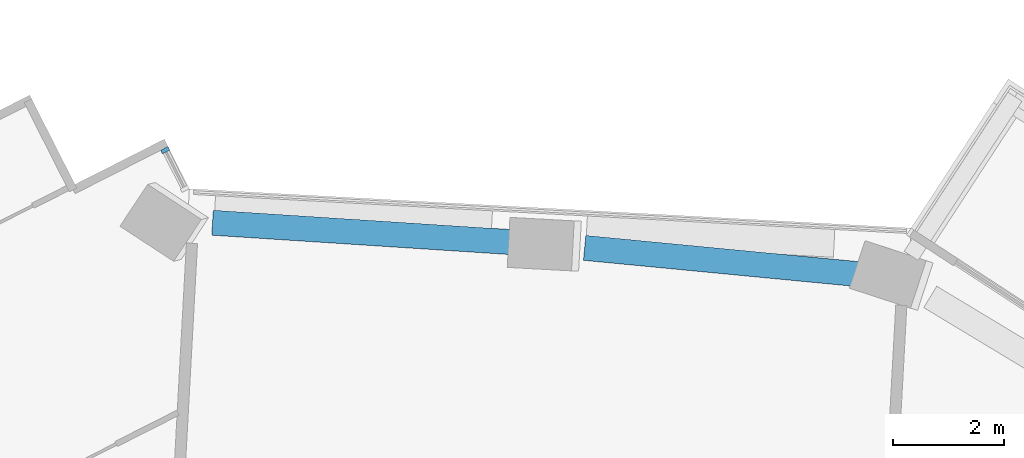
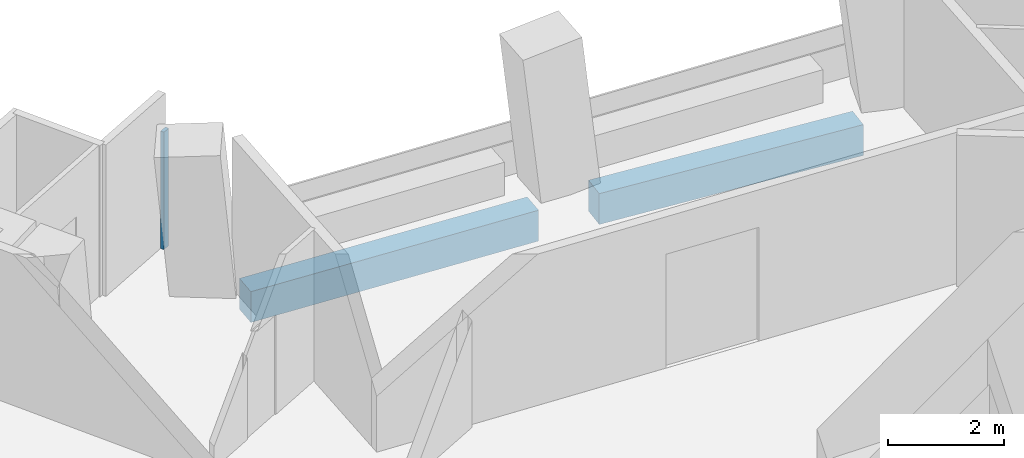
# One storey, part 8 of 23: 2 beams, 1 member, 1 element without a shape of its own.
"""IFC4 building model written with IfcOpenShell, lengths in metres."""

from ifc_helpers import new_model, si_unit, direction, frame, origin, origin_2d, place, context, subcontext, project, spatial, rectangle, extrude, material, layer, layer_set, material_profile, profile_set, type_object, element, aggregate, save


model = new_model("IFC4")

# Units and contexts
model_context = context("Model", 3, precision=1e-05, world=origin(), true_north=direction((0.0, 1.0)))
body_context = subcontext(model_context, "Body", "Model", "MODEL_VIEW")
ifc_project = project(units=[si_unit("LENGTHUNIT", "METRE"), si_unit("AREAUNIT", "SQUARE_METRE"), si_unit("VOLUMEUNIT", "CUBIC_METRE"), si_unit("PLANEANGLEUNIT", "RADIAN"), si_unit("MASSUNIT", "GRAM", prefix="KILO")], contexts=[model_context])

# Site, building, storey
site_placement = place(None, origin())
site = spatial("IfcSite", under=ifc_project, at=site_placement, CompositionType="ELEMENT")
building_placement = place(site_placement, origin())
building = spatial("IfcBuilding", under=site, at=building_placement, Name="Verdalira Terraces Hotel", CompositionType="ELEMENT")
storey_placement = place(building_placement, frame((0.0, 0.0, 143.5)))
storey = spatial("IfcBuildingStorey", under=building, at=storey_placement, Name="L34", CompositionType="ELEMENT", Elevation=143.5)

# Curtain wall, member
ifc_material_1 = material(Name="Clear glass", Category="glass")
ifc_layer = layer(ifc_material_1, 0.14990234375)
ifc_layer_set = layer_set([ifc_layer], Name="CW2 curtain wall")
curtain_wall_type = type_object("IfcCurtainWallType", Name="CW2 curtain wall", PredefinedType="NOTDEFINED", material=ifc_layer_set)
curtain_wall_placement = place(storey_placement, origin())
curtain_wall = element("IfcCurtainWall", 1, at=curtain_wall_placement, inside=storey, type_object=curtain_wall_type, Name="CW2 curtain wall L34 edge 0", PredefinedType="NOTDEFINED")
ifc_material_2 = material(Name="Terracotta frame", Category="masonry")
ifc_material_profile_1 = material_profile(ifc_material_2, rectangle(XDim=0.070068, YDim=0.149902, at=origin_2d()), Name="MU 70x150")
ifc_profile_set_1 = profile_set([ifc_material_profile_1], Name="Terracotta frame")
member_type = type_object("IfcMemberType", Name="CW2 mullion 70x150", PredefinedType="MULLION", material=ifc_profile_set_1)
member_placement = place(storey_placement, frame((-5.605469, 25.269287, 0.0), z_axis=(0.0, 0.0, 1.0), x_axis=(-0.452123386, 0.891955405, 0.0)))
member = element("IfcMember", 2, at=member_placement, type_object=member_type, Name="CW2 mullion", PredefinedType="MULLION", context=body_context, shape_type="SweptSolid", body=[
    extrude(rectangle(XDim=0.070068, YDim=0.149902, at=origin_2d()), origin(), (0.0, 0.0, 1.0), 2.475098),
])
aggregate(curtain_wall, [member])

# Beams
ifc_material_3 = material(Name="Concrete C50", Category="concrete")
ifc_material_profile_2 = material_profile(ifc_material_3, rectangle(XDim=0.449951, YDim=0.649902, at=origin_2d()), Name="RC 450X650")
ifc_profile_set_2 = profile_set([ifc_material_profile_2], Name="Concrete C50")
beam_type = type_object("IfcBeamType", Name="Spandrel beam RC 450X650 C50", PredefinedType="SPANDREL", material=ifc_profile_set_2)
beam_1_placement = place(storey_placement, frame((6.932129, 23.032959, -0.63501), z_axis=(-0.995414824, 0.095652116, 0.0), x_axis=(-0.095652116, -0.995414824, 0.0)))
element("IfcBeam", 3, at=beam_1_placement, inside=storey, type_object=beam_type, Name="Spandrel beam B22", PredefinedType="SPANDREL", context=body_context, shape_type="SweptSolid", body=[
    extrude(rectangle(XDim=0.449951, YDim=0.649902, at=origin_2d()), origin(), (0.0, 0.0, 1.0), 5.015381),
])
beam_2_placement = place(storey_placement, frame((0.779785, 23.606201, -0.63501), z_axis=(-0.997900322, 0.064768416, 0.0), x_axis=(-0.064768416, -0.997900322, 0.0)))
element("IfcBeam", 4, at=beam_2_placement, inside=storey, type_object=beam_type, Name="Spandrel beam B23", PredefinedType="SPANDREL", context=body_context, shape_type="SweptSolid", body=[
    extrude(rectangle(XDim=0.449951, YDim=0.649902, at=origin_2d()), origin(), (0.0, 0.0, 1.0), 5.544922),
])

save(model, "model.ifc")
